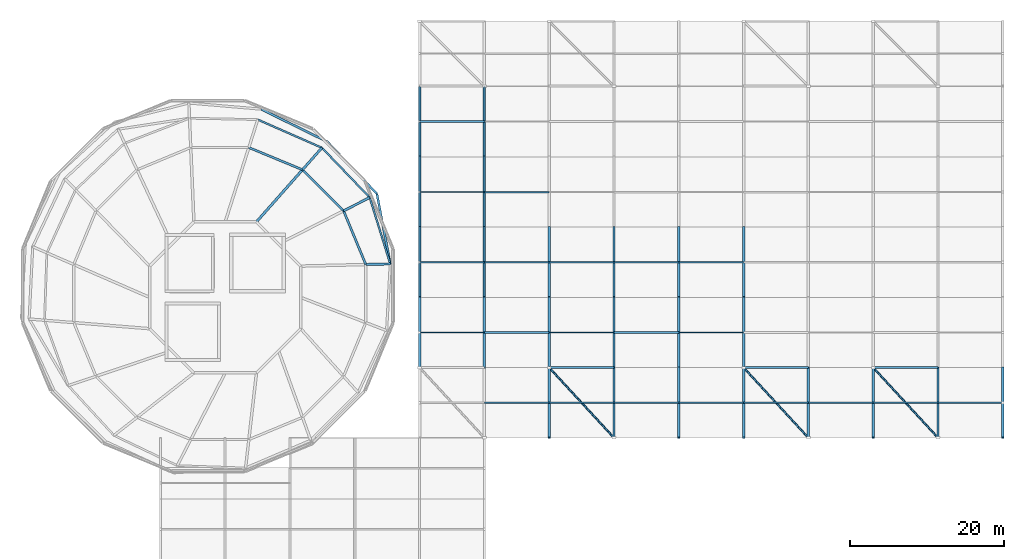
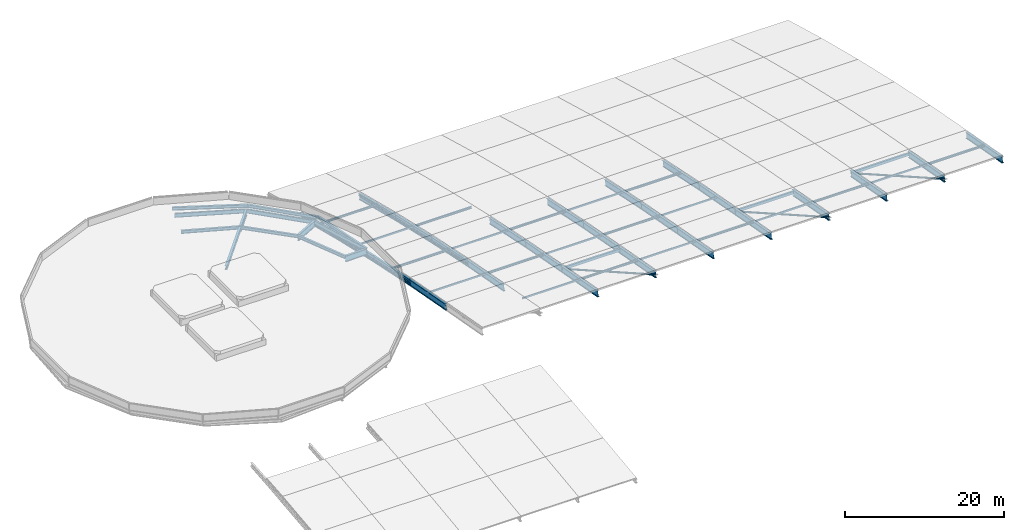
# One storey, part 3 of 12: 37 beams, 29 members.
"""IFC4 building model written with IfcOpenShell, lengths in metres."""

from ifc_helpers import new_model, si_unit, derived_unit, direction, frame, origin, origin_2d, place, context, subcontext, project, spatial, hollow_rectangle, hollow_circle, i_section, extrude, material, material_profile, profile_set, type_object, element, save


model = new_model("IFC4")

# Units and contexts
model_context = context("Model", 3, precision=1e-05, world=origin(), true_north=direction((0.0, 1.0)))
body_context = subcontext(model_context, "Body", "Model", "MODEL_VIEW")
ifc_project = project(units=[si_unit("LENGTHUNIT", "METRE"), si_unit("AREAUNIT", "SQUARE_METRE"), si_unit("VOLUMEUNIT", "CUBIC_METRE"), si_unit("PLANEANGLEUNIT", "RADIAN"), si_unit("MASSUNIT", "GRAM", prefix="KILO"), derived_unit("THERMALTRANSMITTANCEUNIT", [(si_unit("MASSUNIT", "GRAM", prefix="KILO"), 1), (si_unit("TIMEUNIT", "SECOND"), -3), (si_unit("THERMODYNAMICTEMPERATUREUNIT", "KELVIN"), -1)])], contexts=[model_context])

# Site, building, storey
site_placement = place(None, origin())
site = spatial("IfcSite", under=ifc_project, at=site_placement, CompositionType="ELEMENT")
building_placement = place(site_placement, origin())
building = spatial("IfcBuilding", under=site, at=building_placement, Name="Makaiwela Harbour Ferry Terminal", CompositionType="ELEMENT")
storey_placement = place(building_placement, frame((0.0, 0.0, 25.5)))
storey = spatial("IfcBuildingStorey", under=building, at=storey_placement, Name="ROOF", CompositionType="ELEMENT", Elevation=25.5)

# Beams
ifc_material_1 = material(Name="Steel ASTM A992 Grade 50", Category="steel")
ifc_material_profile_1 = material_profile(ifc_material_1, i_section(OverallWidth=0.306884765625, OverallDepth=0.927001953125, WebThickness=0.019287109375, FlangeThickness=0.031982421875, at=origin_2d()), Name="W36X194")
ifc_profile_set_1 = profile_set([ifc_material_profile_1], Name="Steel ASTM A992 Grade 50")
beam_type_1 = type_object("IfcBeamType", Name="STR-ARC-W36X194", PredefinedType="USERDEFINED", material=ifc_profile_set_1)
beam_1_placement = place(storey_placement, frame((63.0, 95.0, -10.6748046875), z_axis=(0.0, -0.969642473785, 0.244527039471), x_axis=(1.0, 0.0, 0.0)))
element("IfcBeam", 1, at=beam_1_placement, inside=storey, type_object=beam_type_1, Name="Departure vault arch rib 9-2", ObjectType="ARCH SEGMENT", PredefinedType="USERDEFINED", context=body_context, shape_type="SweptSolid", body=[
    extrude(i_section(OverallWidth=0.306884765625, OverallDepth=0.927001953125, WebThickness=0.019287109375, FlangeThickness=0.031982421875, at=origin_2d()), origin(), (0.0, 0.0, 1.0), 9.488037109375),
])
beam_2_placement = place(storey_placement, frame((63.0, 85.800048828125, -8.353759765625), z_axis=(0.0, -0.974857207995, 0.222830482699), x_axis=(1.0, 0.0, 0.0)))
element("IfcBeam", 2, at=beam_2_placement, inside=storey, type_object=beam_type_1, Name="Departure vault arch rib 9-3", ObjectType="ARCH SEGMENT", PredefinedType="USERDEFINED", context=body_context, shape_type="SweptSolid", body=[
    extrude(i_section(OverallWidth=0.306884765625, OverallDepth=0.927001953125, WebThickness=0.019287109375, FlangeThickness=0.031982421875, at=origin_2d()), origin(), (0.0, 0.0, 1.0), 9.334716796875),
])
beam_3_placement = place(storey_placement, frame((63.0, 76.699951171875, -6.272705078125), z_axis=(0.0, -0.978892276116, 0.20437688656), x_axis=(1.0, 0.0, 0.0)))
element("IfcBeam", 3, at=beam_3_placement, inside=storey, type_object=beam_type_1, Name="Departure vault arch rib 9-4", ObjectType="ARCH SEGMENT", PredefinedType="USERDEFINED", context=body_context, shape_type="SweptSolid", body=[
    extrude(i_section(OverallWidth=0.306884765625, OverallDepth=0.927001953125, WebThickness=0.019287109375, FlangeThickness=0.031982421875, at=origin_2d()), origin(), (0.0, 0.0, 1.0), 9.296142578125),
])
beam_4_placement = place(storey_placement, frame((63.0, 67.60009765625, -4.3720703125), z_axis=(0.0, -0.982995566672, 0.183629289337), x_axis=(1.0, 0.0, 0.0)))
element("IfcBeam", 4, at=beam_4_placement, inside=storey, type_object=beam_type_1, Name="Departure vault arch rib 9-5", ObjectType="ARCH SEGMENT", PredefinedType="USERDEFINED", context=body_context, shape_type="SweptSolid", body=[
    extrude(i_section(OverallWidth=0.306884765625, OverallDepth=0.927001953125, WebThickness=0.019287109375, FlangeThickness=0.031982421875, at=origin_2d()), origin(), (0.0, 0.0, 1.0), 9.257568359375),
])
beam_5_placement = place(storey_placement, frame((71.39990234375, 95.0, -10.6748046875), z_axis=(0.0, -0.969642473785, 0.244527039471), x_axis=(1.0, 0.0, 0.0)))
element("IfcBeam", 5, at=beam_5_placement, inside=storey, type_object=beam_type_1, Name="Departure vault arch rib 10-2", ObjectType="ARCH SEGMENT", PredefinedType="USERDEFINED", context=body_context, shape_type="SweptSolid", body=[
    extrude(i_section(OverallWidth=0.306884765625, OverallDepth=0.927001953125, WebThickness=0.019287109375, FlangeThickness=0.031982421875, at=origin_2d()), origin(), (0.0, 0.0, 1.0), 9.488037109375),
])
beam_6_placement = place(storey_placement, frame((71.39990234375, 85.800048828125, -8.353759765625), z_axis=(0.0, -0.974857207995, 0.222830482699), x_axis=(1.0, 0.0, 0.0)))
element("IfcBeam", 6, at=beam_6_placement, inside=storey, type_object=beam_type_1, Name="Departure vault arch rib 10-3", ObjectType="ARCH SEGMENT", PredefinedType="USERDEFINED", context=body_context, shape_type="SweptSolid", body=[
    extrude(i_section(OverallWidth=0.306884765625, OverallDepth=0.927001953125, WebThickness=0.019287109375, FlangeThickness=0.031982421875, at=origin_2d()), origin(), (0.0, 0.0, 1.0), 9.334716796875),
])
beam_7_placement = place(storey_placement, frame((71.39990234375, 76.699951171875, -6.272705078125), z_axis=(0.0, -0.978892276116, 0.20437688656), x_axis=(1.0, 0.0, 0.0)))
element("IfcBeam", 7, at=beam_7_placement, inside=storey, type_object=beam_type_1, Name="Departure vault arch rib 10-4", ObjectType="ARCH SEGMENT", PredefinedType="USERDEFINED", context=body_context, shape_type="SweptSolid", body=[
    extrude(i_section(OverallWidth=0.306884765625, OverallDepth=0.927001953125, WebThickness=0.019287109375, FlangeThickness=0.031982421875, at=origin_2d()), origin(), (0.0, 0.0, 1.0), 9.296142578125),
])
beam_8_placement = place(storey_placement, frame((71.39990234375, 67.60009765625, -4.3720703125), z_axis=(0.0, -0.982995566672, 0.183629289337), x_axis=(1.0, 0.0, 0.0)))
element("IfcBeam", 8, at=beam_8_placement, inside=storey, type_object=beam_type_1, Name="Departure vault arch rib 10-5", ObjectType="ARCH SEGMENT", PredefinedType="USERDEFINED", context=body_context, shape_type="SweptSolid", body=[
    extrude(i_section(OverallWidth=0.306884765625, OverallDepth=0.927001953125, WebThickness=0.019287109375, FlangeThickness=0.031982421875, at=origin_2d()), origin(), (0.0, 0.0, 1.0), 9.257568359375),
])
beam_9_placement = place(storey_placement, frame((79.800048828125, 76.699951171875, -6.272705078125), z_axis=(0.0, -0.978892276116, 0.20437688656), x_axis=(1.0, 0.0, 0.0)))
element("IfcBeam", 9, at=beam_9_placement, inside=storey, type_object=beam_type_1, Name="Departure vault arch rib 11-4", ObjectType="ARCH SEGMENT", PredefinedType="USERDEFINED", context=body_context, shape_type="SweptSolid", body=[
    extrude(i_section(OverallWidth=0.306884765625, OverallDepth=0.927001953125, WebThickness=0.019287109375, FlangeThickness=0.031982421875, at=origin_2d()), origin(), (0.0, 0.0, 1.0), 9.296142578125),
])
beam_10_placement = place(storey_placement, frame((79.800048828125, 67.60009765625, -4.3720703125), z_axis=(0.0, -0.982995566672, 0.183629289337), x_axis=(1.0, 0.0, 0.0)))
element("IfcBeam", 10, at=beam_10_placement, inside=storey, type_object=beam_type_1, Name="Departure vault arch rib 11-5", ObjectType="ARCH SEGMENT", PredefinedType="USERDEFINED", context=body_context, shape_type="SweptSolid", body=[
    extrude(i_section(OverallWidth=0.306884765625, OverallDepth=0.927001953125, WebThickness=0.019287109375, FlangeThickness=0.031982421875, at=origin_2d()), origin(), (0.0, 0.0, 1.0), 9.257568359375),
])
beam_11_placement = place(storey_placement, frame((79.800048828125, 58.5, -2.671875), z_axis=(0.0, -0.983383846995, 0.181538451767), x_axis=(1.0, 0.0, 0.0)))
element("IfcBeam", 11, at=beam_11_placement, inside=storey, type_object=beam_type_1, Name="Departure vault arch rib 11-6", ObjectType="ARCH SEGMENT", PredefinedType="USERDEFINED", context=body_context, shape_type="SweptSolid", body=[
    extrude(i_section(OverallWidth=0.306884765625, OverallDepth=0.927001953125, WebThickness=0.019287109375, FlangeThickness=0.031982421875, at=origin_2d()), origin(), (0.0, 0.0, 1.0), 9.25390625),
])
beam_12_placement = place(storey_placement, frame((88.199951171875, 76.699951171875, -6.272705078125), z_axis=(0.0, -0.978892276116, 0.20437688656), x_axis=(1.0, 0.0, 0.0)))
element("IfcBeam", 12, at=beam_12_placement, inside=storey, type_object=beam_type_1, Name="Departure vault arch rib 12-4", ObjectType="ARCH SEGMENT", PredefinedType="USERDEFINED", context=body_context, shape_type="SweptSolid", body=[
    extrude(i_section(OverallWidth=0.306884765625, OverallDepth=0.927001953125, WebThickness=0.019287109375, FlangeThickness=0.031982421875, at=origin_2d()), origin(), (0.0, 0.0, 1.0), 9.296142578125),
])
beam_13_placement = place(storey_placement, frame((88.199951171875, 67.60009765625, -4.3720703125), z_axis=(0.0, -0.982995566672, 0.183629289337), x_axis=(1.0, 0.0, 0.0)))
element("IfcBeam", 13, at=beam_13_placement, inside=storey, type_object=beam_type_1, Name="Departure vault arch rib 12-5", ObjectType="ARCH SEGMENT", PredefinedType="USERDEFINED", context=body_context, shape_type="SweptSolid", body=[
    extrude(i_section(OverallWidth=0.306884765625, OverallDepth=0.927001953125, WebThickness=0.019287109375, FlangeThickness=0.031982421875, at=origin_2d()), origin(), (0.0, 0.0, 1.0), 9.257568359375),
])
beam_14_placement = place(storey_placement, frame((88.199951171875, 58.5, -2.671875), z_axis=(0.0, -0.983383846995, 0.181538451767), x_axis=(1.0, 0.0, 0.0)))
element("IfcBeam", 14, at=beam_14_placement, inside=storey, type_object=beam_type_1, Name="Departure vault arch rib 12-6", ObjectType="ARCH SEGMENT", PredefinedType="USERDEFINED", context=body_context, shape_type="SweptSolid", body=[
    extrude(i_section(OverallWidth=0.306884765625, OverallDepth=0.927001953125, WebThickness=0.019287109375, FlangeThickness=0.031982421875, at=origin_2d()), origin(), (0.0, 0.0, 1.0), 9.25390625),
])
beam_15_placement = place(storey_placement, frame((96.60009765625, 76.699951171875, -6.272705078125), z_axis=(0.0, -0.978892276116, 0.20437688656), x_axis=(1.0, 0.0, 0.0)))
element("IfcBeam", 15, at=beam_15_placement, inside=storey, type_object=beam_type_1, Name="Departure vault arch rib 13-4", ObjectType="ARCH SEGMENT", PredefinedType="USERDEFINED", context=body_context, shape_type="SweptSolid", body=[
    extrude(i_section(OverallWidth=0.306884765625, OverallDepth=0.927001953125, WebThickness=0.019287109375, FlangeThickness=0.031982421875, at=origin_2d()), origin(), (0.0, 0.0, 1.0), 9.296142578125),
])
beam_16_placement = place(storey_placement, frame((96.60009765625, 67.60009765625, -4.3720703125), z_axis=(0.0, -0.982995566672, 0.183629289337), x_axis=(1.0, 0.0, 0.0)))
element("IfcBeam", 16, at=beam_16_placement, inside=storey, type_object=beam_type_1, Name="Departure vault arch rib 13-5", ObjectType="ARCH SEGMENT", PredefinedType="USERDEFINED", context=body_context, shape_type="SweptSolid", body=[
    extrude(i_section(OverallWidth=0.306884765625, OverallDepth=0.927001953125, WebThickness=0.019287109375, FlangeThickness=0.031982421875, at=origin_2d()), origin(), (0.0, 0.0, 1.0), 9.257568359375),
])
beam_17_placement = place(storey_placement, frame((96.60009765625, 58.5, -2.671875), z_axis=(0.0, -0.983383846995, 0.181538451767), x_axis=(1.0, 0.0, 0.0)))
element("IfcBeam", 17, at=beam_17_placement, inside=storey, type_object=beam_type_1, Name="Departure vault arch rib 13-6", ObjectType="ARCH SEGMENT", PredefinedType="USERDEFINED", context=body_context, shape_type="SweptSolid", body=[
    extrude(i_section(OverallWidth=0.306884765625, OverallDepth=0.927001953125, WebThickness=0.019287109375, FlangeThickness=0.031982421875, at=origin_2d()), origin(), (0.0, 0.0, 1.0), 9.25390625),
])
beam_18_placement = place(storey_placement, frame((105.0, 76.699951171875, -6.272705078125), z_axis=(0.0, -0.978892276116, 0.20437688656), x_axis=(1.0, 0.0, 0.0)))
element("IfcBeam", 18, at=beam_18_placement, inside=storey, type_object=beam_type_1, Name="Departure vault arch rib 14-4", ObjectType="ARCH SEGMENT", PredefinedType="USERDEFINED", context=body_context, shape_type="SweptSolid", body=[
    extrude(i_section(OverallWidth=0.306884765625, OverallDepth=0.927001953125, WebThickness=0.019287109375, FlangeThickness=0.031982421875, at=origin_2d()), origin(), (0.0, 0.0, 1.0), 9.296142578125),
])
beam_19_placement = place(storey_placement, frame((105.0, 67.60009765625, -4.3720703125), z_axis=(0.0, -0.982995566672, 0.183629289337), x_axis=(1.0, 0.0, 0.0)))
element("IfcBeam", 19, at=beam_19_placement, inside=storey, type_object=beam_type_1, Name="Departure vault arch rib 14-5", ObjectType="ARCH SEGMENT", PredefinedType="USERDEFINED", context=body_context, shape_type="SweptSolid", body=[
    extrude(i_section(OverallWidth=0.306884765625, OverallDepth=0.927001953125, WebThickness=0.019287109375, FlangeThickness=0.031982421875, at=origin_2d()), origin(), (0.0, 0.0, 1.0), 9.257568359375),
])
for number, where, z_axis, x_axis, name in (
    (20, (105.0, 58.5, -2.671875), (0.0, -0.983383846995, 0.181538451767), (1.0, 0.0, 0.0), "Departure vault arch rib 14-6"),
    (21, (113.39990234375, 58.5, -2.671875), (0.0, -0.983383846995, 0.181538451767), (1.0, 0.0, 0.0), "Departure vault arch rib 15-6"),
    (22, (121.800048828125, 58.5, -2.671875), (0.0, -0.983383846995, 0.181538451767), (1.0, 0.0, 0.0), "Departure vault arch rib 16-6"),
    (23, (130.199951171875, 58.5, -2.671875), (0.0, -0.983383846995, 0.181538451767), (1.0, 0.0, 0.0), "Departure vault arch rib 17-6"),
    (24, (138.60009765625, 58.5, -2.671875), (0.0, -0.983383846995, 0.181538451767), (1.0, 0.0, 0.0), "Departure vault arch rib 18-6"),
):
    element("IfcBeam", number, at=place(storey_placement, frame(where, z_axis=z_axis, x_axis=x_axis)), inside=storey, type_object=beam_type_1, Name=name, ObjectType="ARCH SEGMENT", PredefinedType="USERDEFINED", context=body_context, shape_type="SweptSolid", body=[
        extrude(i_section(OverallWidth=0.306884765625, OverallDepth=0.927001953125, WebThickness=0.019287109375, FlangeThickness=0.031982421875, at=origin_2d()), origin(), (0.0, 0.0, 1.0), 9.25390625),
    ])

# Members
ifc_material_2 = material(Name="Steel ASTM A500 Grade C", Category="steel")
ifc_material_profile_2 = material_profile(ifc_material_2, hollow_circle(Radius=0.136474609375, WallThickness=0.0126953125, at=origin_2d()), Name="PIPE10XS")
ifc_profile_set_2 = profile_set([ifc_material_profile_2], Name="Steel ASTM A500 Grade C")
member_type_1 = type_object("IfcMemberType", Name="STR-BRC-PIPE10", PredefinedType="BRACE", material=ifc_profile_set_2)
for number, where, z_axis, x_axis, name in (
    (25, (79.800048828125, 58.5, -2.671875), (0.672116283333, -0.728142252658, 0.134419349695), (0.734811002576, 0.678271914864, 0.0), "Structural Member BR-04"),
    (26, (105.0, 58.5, -2.671875), (0.672116283333, -0.728142252658, 0.134419349695), (0.734811002576, 0.678271914864, 0.0), "Structural Member BR-04"),
    (27, (121.800048828125, 58.5, -2.671875), (0.672116283333, -0.728142252658, 0.134419349695), (0.734811002576, 0.678271914864, 0.0), "Structural Member BR-04"),
):
    element("IfcMember", number, at=place(storey_placement, frame(where, z_axis=z_axis, x_axis=x_axis)), inside=storey, type_object=member_type_1, Name=name, PredefinedType="BRACE", context=body_context, shape_type="SweptSolid", body=[
        extrude(hollow_circle(Radius=0.136474609375, WallThickness=0.0126953125, at=origin_2d()), origin(), (0.0, 0.0, 1.0), 12.497802734375),
    ])
ifc_material_profile_3 = material_profile(ifc_material_2, hollow_rectangle(XDim=0.25390625, YDim=0.406005859375, WallThickness=0.01171875, at=origin_2d()), Name="HSS16X10X1/2")
ifc_profile_set_3 = profile_set([ifc_material_profile_3], Name="Steel ASTM A500 Grade C")
member_type_2 = type_object("IfcMemberType", Name="STR-CHD-HSS16", PredefinedType="CHORD", material=ifc_profile_set_3)
for number, where, z_axis, x_axis, name in (
    (28, (79.800048828125, 58.5, -2.671875), (1.0, 0.0, 0.0), (0.0, 1.0, 0.0), "Structural Member CH-01"),
    (29, (105.0, 58.5, -2.671875), (1.0, 0.0, 0.0), (0.0, 1.0, 0.0), "Structural Member CH-01"),
    (30, (121.800048828125, 58.5, -2.671875), (1.0, 0.0, 0.0), (0.0, 1.0, 0.0), "Structural Member CH-01"),
):
    element("IfcMember", number, at=place(storey_placement, frame(where, z_axis=z_axis, x_axis=x_axis)), inside=storey, type_object=member_type_2, Name=name, PredefinedType="CHORD", context=body_context, shape_type="SweptSolid", body=[
        extrude(hollow_rectangle(XDim=0.25390625, YDim=0.406005859375, WallThickness=0.01171875, at=origin_2d()), origin(), (0.0, 0.0, 1.0), 8.39990234375),
    ])
ifc_material_profile_4 = material_profile(ifc_material_2, hollow_circle(Radius=0.136474609375, WallThickness=0.0126953125, at=origin_2d()), Name="PIPE10XS")
ifc_profile_set_4 = profile_set([ifc_material_profile_4], Name="Steel ASTM A500 Grade C")
member_type_3 = type_object("IfcMemberType", Name="STR-CLR-PIPE10", PredefinedType="COLLAR", material=ifc_profile_set_4)
for number, where, z_axis, x_axis, name in (
    (31, (63.0, 95.0, -10.550048828125), (0.0, -0.976102263429, 0.217311691651), (1.0, 0.0, 0.0), "Vault tension collar tie 9"),
    (32, (71.39990234375, 95.0, -10.550048828125), (0.0, -0.976102263429, 0.217311691651), (1.0, 0.0, 0.0), "Vault tension collar tie 10"),
):
    element("IfcMember", number, at=place(storey_placement, frame(where, z_axis=z_axis, x_axis=x_axis)), inside=storey, type_object=member_type_3, Name=name, PredefinedType="COLLAR", context=body_context, shape_type="SweptSolid", body=[
        extrude(hollow_circle(Radius=0.136474609375, WallThickness=0.0126953125, at=origin_2d()), origin(), (0.0, 0.0, 1.0), 28.07080078125),
    ])

# Beams
ifc_material_profile_5 = material_profile(ifc_material_1, i_section(OverallWidth=0.324951171875, OverallDepth=0.615966796875, WebThickness=0.013916015625, FlangeThickness=0.021484375, at=origin_2d()), Name="W24X117")
ifc_profile_set_5 = profile_set([ifc_material_profile_5], Name="Steel ASTM A992 Grade 50")
beam_type_2 = type_object("IfcBeamType", Name="STR-GRD-W24X117", PredefinedType="USERDEFINED", material=ifc_profile_set_5)
beam_20_placement = place(storey_placement, frame((41.8564453125, 77.39306640625, -0.72802734375), z_axis=(0.662014887938, 0.749490685832, 0.0), x_axis=(-0.749490685832, 0.662014887938, 0.0)))
element("IfcBeam", 33, at=beam_20_placement, inside=storey, type_object=beam_type_2, Name="Drum radial girder 646", ObjectType="GIRDER", PredefinedType="USERDEFINED", context=body_context, shape_type="SweptSolid", body=[
    extrude(i_section(OverallWidth=0.324951171875, OverallDepth=0.615966796875, WebThickness=0.013916015625, FlangeThickness=0.021484375, at=origin_2d()), origin(), (0.0, 0.0, 1.0), 9.011962890625),
])
ifc_material_profile_6 = material_profile(ifc_material_1, i_section(OverallWidth=0.22900390625, OverallDepth=0.612060546875, WebThickness=0.011962890625, FlangeThickness=0.01953125, at=origin_2d()), Name="W24X84")
ifc_profile_set_6 = profile_set([ifc_material_profile_6], Name="Steel ASTM A992 Grade 50")
beam_type_3 = type_object("IfcBeamType", Name="STR-GRD-W24X84", PredefinedType="USERDEFINED", material=ifc_profile_set_6)
beam_21_placement = place(storey_placement, frame((59.19775390625, 71.943603515625, -0.72607421875), z_axis=(-0.295863894996, 0.95523010612, 0.0), x_axis=(-0.95523010612, -0.295863894996, 0.0)))
element("IfcBeam", 34, at=beam_21_placement, inside=storey, type_object=beam_type_3, Name="Drum overhang tie girder 679", ObjectType="GIRDER", PredefinedType="USERDEFINED", context=body_context, shape_type="SweptSolid", body=[
    extrude(i_section(OverallWidth=0.22900390625, OverallDepth=0.612060546875, WebThickness=0.011962890625, FlangeThickness=0.01953125, at=origin_2d()), origin(), (0.0, 0.0, 1.0), 9.00927734375),
])
beam_22_placement = place(storey_placement, frame((56.5322265625, 80.549560546875, -0.72607421875), z_axis=(-0.692888186671, 0.721045047672, 0.0), x_axis=(-0.721045047672, -0.692888186671, 0.0)))
element("IfcBeam", 35, at=beam_22_placement, inside=storey, type_object=beam_type_3, Name="Drum overhang tie girder 680", ObjectType="GIRDER", PredefinedType="USERDEFINED", context=body_context, shape_type="SweptSolid", body=[
    extrude(i_section(OverallWidth=0.22900390625, OverallDepth=0.612060546875, WebThickness=0.011962890625, FlangeThickness=0.01953125, at=origin_2d()), origin(), (0.0, 0.0, 1.0), 8.939453125),
])
beam_23_placement = place(storey_placement, frame((50.338134765625, 86.995361328125, -0.72607421875), z_axis=(-0.915567564956, 0.402164187864, 0.0), x_axis=(-0.402164187864, -0.915567564956, 0.0)))
element("IfcBeam", 36, at=beam_23_placement, inside=storey, type_object=beam_type_3, Name="Drum overhang tie girder 681", ObjectType="GIRDER", PredefinedType="USERDEFINED", context=body_context, shape_type="SweptSolid", body=[
    extrude(i_section(OverallWidth=0.22900390625, OverallDepth=0.612060546875, WebThickness=0.011962890625, FlangeThickness=0.01953125, at=origin_2d()), origin(), (0.0, 0.0, 1.0), 9.08837890625),
])
ifc_material_profile_7 = material_profile(ifc_material_1, i_section(OverallWidth=0.31005859375, OverallDepth=0.949951171875, WebThickness=0.0244140625, FlangeThickness=0.0439453125, at=origin_2d()), Name="W36X256")
ifc_profile_set_7 = profile_set([ifc_material_profile_7], Name="Steel ASTM A992 Grade 50")
beam_type_4 = type_object("IfcBeamType", Name="STR-GRD-W36X256", PredefinedType="USERDEFINED", material=ifc_profile_set_7)
beam_24_placement = place(storey_placement, frame((56.029296875, 71.865234375, -0.89501953125), z_axis=(0.999694250809, 0.02472660306, 0.0), x_axis=(-0.02472660306, 0.999694250809, 0.0)))
element("IfcBeam", 37, at=beam_24_placement, inside=storey, type_object=beam_type_4, Name="Drum radial overhang 643", ObjectType="GIRDER", PredefinedType="USERDEFINED", context=body_context, shape_type="SweptSolid", body=[
    extrude(i_section(OverallWidth=0.31005859375, OverallDepth=0.949951171875, WebThickness=0.0244140625, FlangeThickness=0.0439453125, at=origin_2d()), origin(), (0.0, 0.0, 1.0), 3.16943359375),
])
for number, where, z_axis, x_axis, name in (
    (38, (53.1474609375, 78.822509765625, -0.89501953125), (0.890748068291, 0.454497391452, 0.0), (-0.454497391452, 0.890748068291, 0.0), "Drum radial overhang 645"),
    (39, (47.822509765625, 84.1474609375, -0.89501953125), (0.662031662914, 0.74947586839, 0.0), (-0.74947586839, 0.662031662914, 0.0), "Drum radial overhang 647"),
):
    element("IfcBeam", number, at=place(storey_placement, frame(where, z_axis=z_axis, x_axis=x_axis)), inside=storey, type_object=beam_type_4, Name=name, ObjectType="GIRDER", PredefinedType="USERDEFINED", context=body_context, shape_type="SweptSolid", body=[
        extrude(i_section(OverallWidth=0.31005859375, OverallDepth=0.949951171875, WebThickness=0.0244140625, FlangeThickness=0.0439453125, at=origin_2d()), origin(), (0.0, 0.0, 1.0), 3.7998046875),
    ])

# Members
ifc_material_profile_8 = material_profile(ifc_material_2, hollow_rectangle(XDim=0.152099609375, YDim=0.25390625, WallThickness=0.0087890625, at=origin_2d()), Name="HSS10X6X3/8")
ifc_profile_set_8 = profile_set([ifc_material_profile_8], Name="Steel ASTM A500 Grade C")
member_type_4 = type_object("IfcMemberType", Name="STR-PRL-HSS10X6", PredefinedType="PURLIN", material=ifc_profile_set_8)
for number, where, z_axis, x_axis, name in (
    (40, (63.0, 81.25, -6.997314453125), (1.0, 0.0, 0.0), (0.0, 1.0, 0.0), "Structural Member PR-01"),
    (41, (63.0, 63.050048828125, -3.20556640625), (1.0, 0.0, 0.0), (0.0, 1.0, 0.0), "Structural Member PR-01"),
):
    element("IfcMember", number, at=place(storey_placement, frame(where, z_axis=z_axis, x_axis=x_axis)), inside=storey, type_object=member_type_4, Name=name, PredefinedType="PURLIN", context=body_context, shape_type="SweptSolid", body=[
        extrude(hollow_rectangle(XDim=0.152099609375, YDim=0.25390625, WallThickness=0.0087890625, at=origin_2d()), origin(), (0.0, 0.0, 1.0), 8.39990234375),
    ])
for number, where, z_axis, x_axis, name in (
    (42, (71.39990234375, 72.14990234375, -5.00634765625), (1.0, 0.0, 0.0), (0.0, 1.0, 0.0), "Structural Member PR-01"),
    (43, (71.39990234375, 53.949951171875, -1.515380859375), (1.0, 0.0, 0.0), (0.0, 1.0, 0.0), "Structural Member PR-01"),
):
    element("IfcMember", number, at=place(storey_placement, frame(where, z_axis=z_axis, x_axis=x_axis)), inside=storey, type_object=member_type_4, Name=name, PredefinedType="PURLIN", context=body_context, shape_type="SweptSolid", body=[
        extrude(hollow_rectangle(XDim=0.152099609375, YDim=0.25390625, WallThickness=0.0087890625, at=origin_2d()), origin(), (0.0, 0.0, 1.0), 8.400146484375),
    ])
member_1_placement = place(storey_placement, frame((79.800048828125, 63.050048828125, -3.20556640625), z_axis=(1.0, 0.0, 0.0), x_axis=(0.0, 1.0, 0.0)))
element("IfcMember", 44, at=member_1_placement, inside=storey, type_object=member_type_4, Name="Structural Member PR-01", PredefinedType="PURLIN", context=body_context, shape_type="SweptSolid", body=[
    extrude(hollow_rectangle(XDim=0.152099609375, YDim=0.25390625, WallThickness=0.0087890625, at=origin_2d()), origin(), (0.0, 0.0, 1.0), 8.39990234375),
])
for number, where, z_axis, x_axis, name in (
    (45, (88.199951171875, 72.14990234375, -5.00634765625), (1.0, 0.0, 0.0), (0.0, 1.0, 0.0), "Structural Member PR-01"),
    (46, (88.199951171875, 53.949951171875, -1.515380859375), (1.0, 0.0, 0.0), (0.0, 1.0, 0.0), "Structural Member PR-01"),
):
    element("IfcMember", number, at=place(storey_placement, frame(where, z_axis=z_axis, x_axis=x_axis)), inside=storey, type_object=member_type_4, Name=name, PredefinedType="PURLIN", context=body_context, shape_type="SweptSolid", body=[
        extrude(hollow_rectangle(XDim=0.152099609375, YDim=0.25390625, WallThickness=0.0087890625, at=origin_2d()), origin(), (0.0, 0.0, 1.0), 8.400146484375),
    ])
for number, where, z_axis, x_axis, name in (
    (47, (96.60009765625, 63.050048828125, -3.20556640625), (1.0, 0.0, 0.0), (0.0, 1.0, 0.0), "Structural Member PR-01"),
    (48, (105.0, 53.949951171875, -1.515380859375), (1.0, 0.0, 0.0), (0.0, 1.0, 0.0), "Structural Member PR-01"),
    (49, (121.800048828125, 53.949951171875, -1.515380859375), (1.0, 0.0, 0.0), (0.0, 1.0, 0.0), "Structural Member PR-01"),
):
    element("IfcMember", number, at=place(storey_placement, frame(where, z_axis=z_axis, x_axis=x_axis)), inside=storey, type_object=member_type_4, Name=name, PredefinedType="PURLIN", context=body_context, shape_type="SweptSolid", body=[
        extrude(hollow_rectangle(XDim=0.152099609375, YDim=0.25390625, WallThickness=0.0087890625, at=origin_2d()), origin(), (0.0, 0.0, 1.0), 8.39990234375),
    ])
ifc_material_profile_9 = material_profile(ifc_material_1, i_section(OverallWidth=0.205078125, OverallDepth=0.31005859375, WebThickness=0.009521484375, FlangeThickness=0.016357421875, at=origin_2d()), Name="W12X50")
ifc_profile_set_9 = profile_set([ifc_material_profile_9], Name="Steel ASTM A992 Grade 50")
member_type_5 = type_object("IfcMemberType", Name="STR-PRL-W12X50", PredefinedType="PURLIN", material=ifc_profile_set_9)
for number, where, z_axis, x_axis, name in (
    (50, (63.0, 90.39990234375, -9.1982421875), (1.0, 0.0, 0.0), (0.0, 1.0, 0.0), "Structural Member PR-02"),
    (51, (63.0, 72.14990234375, -5.00634765625), (1.0, 0.0, 0.0), (0.0, 1.0, 0.0), "Structural Member PR-02"),
):
    element("IfcMember", number, at=place(storey_placement, frame(where, z_axis=z_axis, x_axis=x_axis)), inside=storey, type_object=member_type_5, Name=name, PredefinedType="PURLIN", context=body_context, shape_type="SweptSolid", body=[
        extrude(i_section(OverallWidth=0.205078125, OverallDepth=0.31005859375, WebThickness=0.009521484375, FlangeThickness=0.016357421875, at=origin_2d()), origin(), (0.0, 0.0, 1.0), 8.39990234375),
    ])
for number, where, z_axis, x_axis, name in (
    (52, (71.39990234375, 81.25, -6.997314453125), (1.0, 0.0, 0.0), (0.0, 1.0, 0.0), "Structural Member PR-02"),
    (53, (71.39990234375, 63.050048828125, -3.20556640625), (1.0, 0.0, 0.0), (0.0, 1.0, 0.0), "Structural Member PR-02"),
):
    element("IfcMember", number, at=place(storey_placement, frame(where, z_axis=z_axis, x_axis=x_axis)), inside=storey, type_object=member_type_5, Name=name, PredefinedType="PURLIN", context=body_context, shape_type="SweptSolid", body=[
        extrude(i_section(OverallWidth=0.205078125, OverallDepth=0.31005859375, WebThickness=0.009521484375, FlangeThickness=0.016357421875, at=origin_2d()), origin(), (0.0, 0.0, 1.0), 8.400146484375),
    ])
for number, where, z_axis, x_axis, name in (
    (54, (79.800048828125, 72.14990234375, -5.00634765625), (1.0, 0.0, 0.0), (0.0, 1.0, 0.0), "Structural Member PR-02"),
    (55, (79.800048828125, 53.949951171875, -1.515380859375), (1.0, 0.0, 0.0), (0.0, 1.0, 0.0), "Structural Member PR-02"),
):
    element("IfcMember", number, at=place(storey_placement, frame(where, z_axis=z_axis, x_axis=x_axis)), inside=storey, type_object=member_type_5, Name=name, PredefinedType="PURLIN", context=body_context, shape_type="SweptSolid", body=[
        extrude(i_section(OverallWidth=0.205078125, OverallDepth=0.31005859375, WebThickness=0.009521484375, FlangeThickness=0.016357421875, at=origin_2d()), origin(), (0.0, 0.0, 1.0), 8.39990234375),
    ])
member_2_placement = place(storey_placement, frame((88.199951171875, 63.050048828125, -3.20556640625), z_axis=(1.0, 0.0, 0.0), x_axis=(0.0, 1.0, 0.0)))
element("IfcMember", 56, at=member_2_placement, inside=storey, type_object=member_type_5, Name="Structural Member PR-02", PredefinedType="PURLIN", context=body_context, shape_type="SweptSolid", body=[
    extrude(i_section(OverallWidth=0.205078125, OverallDepth=0.31005859375, WebThickness=0.009521484375, FlangeThickness=0.016357421875, at=origin_2d()), origin(), (0.0, 0.0, 1.0), 8.400146484375),
])
for number, where, z_axis, x_axis, name in (
    (57, (96.60009765625, 72.14990234375, -5.00634765625), (1.0, 0.0, 0.0), (0.0, 1.0, 0.0), "Structural Member PR-02"),
    (58, (96.60009765625, 53.949951171875, -1.515380859375), (1.0, 0.0, 0.0), (0.0, 1.0, 0.0), "Structural Member PR-02"),
):
    element("IfcMember", number, at=place(storey_placement, frame(where, z_axis=z_axis, x_axis=x_axis)), inside=storey, type_object=member_type_5, Name=name, PredefinedType="PURLIN", context=body_context, shape_type="SweptSolid", body=[
        extrude(i_section(OverallWidth=0.205078125, OverallDepth=0.31005859375, WebThickness=0.009521484375, FlangeThickness=0.016357421875, at=origin_2d()), origin(), (0.0, 0.0, 1.0), 8.39990234375),
    ])
for number, where, z_axis, x_axis, name in (
    (59, (113.39990234375, 53.949951171875, -1.515380859375), (1.0, 0.0, 0.0), (0.0, 1.0, 0.0), "Structural Member PR-02"),
    (60, (130.199951171875, 53.949951171875, -1.515380859375), (1.0, 0.0, 0.0), (0.0, 1.0, 0.0), "Structural Member PR-02"),
):
    element("IfcMember", number, at=place(storey_placement, frame(where, z_axis=z_axis, x_axis=x_axis)), inside=storey, type_object=member_type_5, Name=name, PredefinedType="PURLIN", context=body_context, shape_type="SweptSolid", body=[
        extrude(i_section(OverallWidth=0.205078125, OverallDepth=0.31005859375, WebThickness=0.009521484375, FlangeThickness=0.016357421875, at=origin_2d()), origin(), (0.0, 0.0, 1.0), 8.400146484375),
    ])

# Beams
ifc_material_profile_10 = material_profile(ifc_material_1, i_section(OverallWidth=0.283935546875, OverallDepth=0.47607421875, WebThickness=0.014892578125, FlangeThickness=0.02392578125, at=origin_2d()), Name="W18X106")
ifc_profile_set_10 = profile_set([ifc_material_profile_10], Name="Steel ASTM A992 Grade 50")
beam_type_5 = type_object("IfcBeamType", Name="STR-SPN-W18X106", PredefinedType="SPANDREL", material=ifc_profile_set_10)
for number, where, z_axis, x_axis, name in (
    (61, (56.029296875, 71.865234375, -0.657958984375), (-0.382687752376, 0.923877743092, 0.0), (-0.923877743092, -0.382687752376, 0.0), "Drum column ring girder 626"),
    (62, (53.1474609375, 78.822509765625, -0.657958984375), (-0.707106781187, 0.707106781187, 0.0), (-0.707106781187, -0.707106781187, 0.0), "Drum column ring girder 627"),
    (63, (47.822509765625, 84.1474609375, -0.657958984375), (-0.923877743092, 0.382687752376, 0.0), (-0.382687752376, -0.923877743092, 0.0), "Drum column ring girder 628"),
):
    element("IfcBeam", number, at=place(storey_placement, frame(where, z_axis=z_axis, x_axis=x_axis)), inside=storey, type_object=beam_type_5, Name=name, PredefinedType="SPANDREL", context=body_context, shape_type="SweptSolid", body=[
        extrude(i_section(OverallWidth=0.283935546875, OverallDepth=0.47607421875, WebThickness=0.014892578125, FlangeThickness=0.02392578125, at=origin_2d()), origin(), (0.0, 0.0, 1.0), 7.530517578125),
    ])
beam_25_placement = place(storey_placement, frame((59.19775390625, 71.943603515625, -0.657958984375), z_axis=(-0.187120600867, 0.982336948675, 0.0), x_axis=(-0.982336948675, -0.187120600867, 0.0)))
element("IfcBeam", 64, at=beam_25_placement, inside=storey, type_object=beam_type_5, Name="Drum perimeter spandrel 696", PredefinedType="SPANDREL", context=body_context, shape_type="SweptSolid", body=[
    extrude(i_section(OverallWidth=0.283935546875, OverallDepth=0.47607421875, WebThickness=0.014892578125, FlangeThickness=0.02392578125, at=origin_2d()), origin(), (0.0, 0.0, 1.0), 9.24658203125),
])
beam_26_placement = place(storey_placement, frame((57.467529296875, 81.02685546875, -0.657958984375), z_axis=(-0.68967804252, 0.724116149292, 0.0), x_axis=(-0.724116149292, -0.68967804252, 0.0)))
element("IfcBeam", 65, at=beam_26_placement, inside=storey, type_object=beam_type_5, Name="Drum perimeter spandrel 697", PredefinedType="SPANDREL", context=body_context, shape_type="SweptSolid", body=[
    extrude(i_section(OverallWidth=0.283935546875, OverallDepth=0.47607421875, WebThickness=0.014892578125, FlangeThickness=0.02392578125, at=origin_2d()), origin(), (0.0, 0.0, 1.0), 9.329345703125),
])
beam_27_placement = place(storey_placement, frame((51.033203125, 87.782470703125, -0.657958984375), z_axis=(-0.897357586526, 0.441304160308, 0.0), x_axis=(-0.441304160308, -0.897357586526, 0.0)))
element("IfcBeam", 66, at=beam_27_placement, inside=storey, type_object=beam_type_5, Name="Drum perimeter spandrel 698", PredefinedType="SPANDREL", context=body_context, shape_type="SweptSolid", body=[
    extrude(i_section(OverallWidth=0.283935546875, OverallDepth=0.47607421875, WebThickness=0.014892578125, FlangeThickness=0.02392578125, at=origin_2d()), origin(), (0.0, 0.0, 1.0), 9.5673828125),
])

save(model, "model.ifc")
